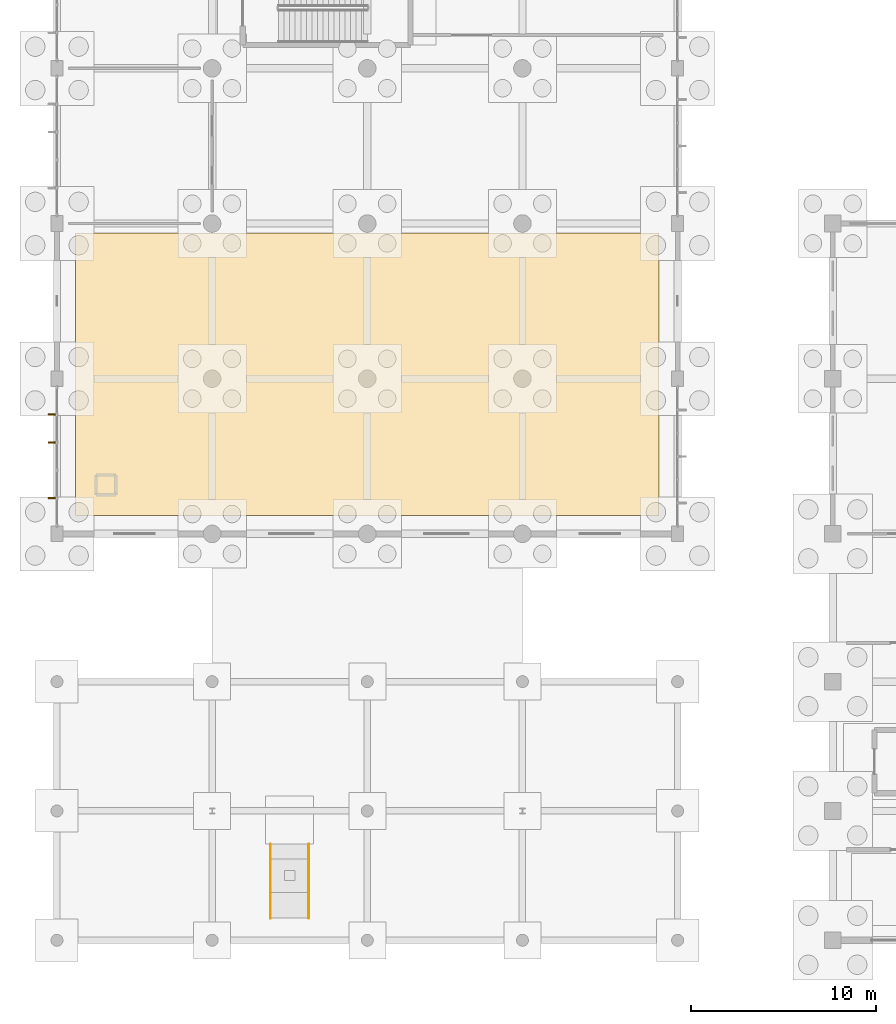
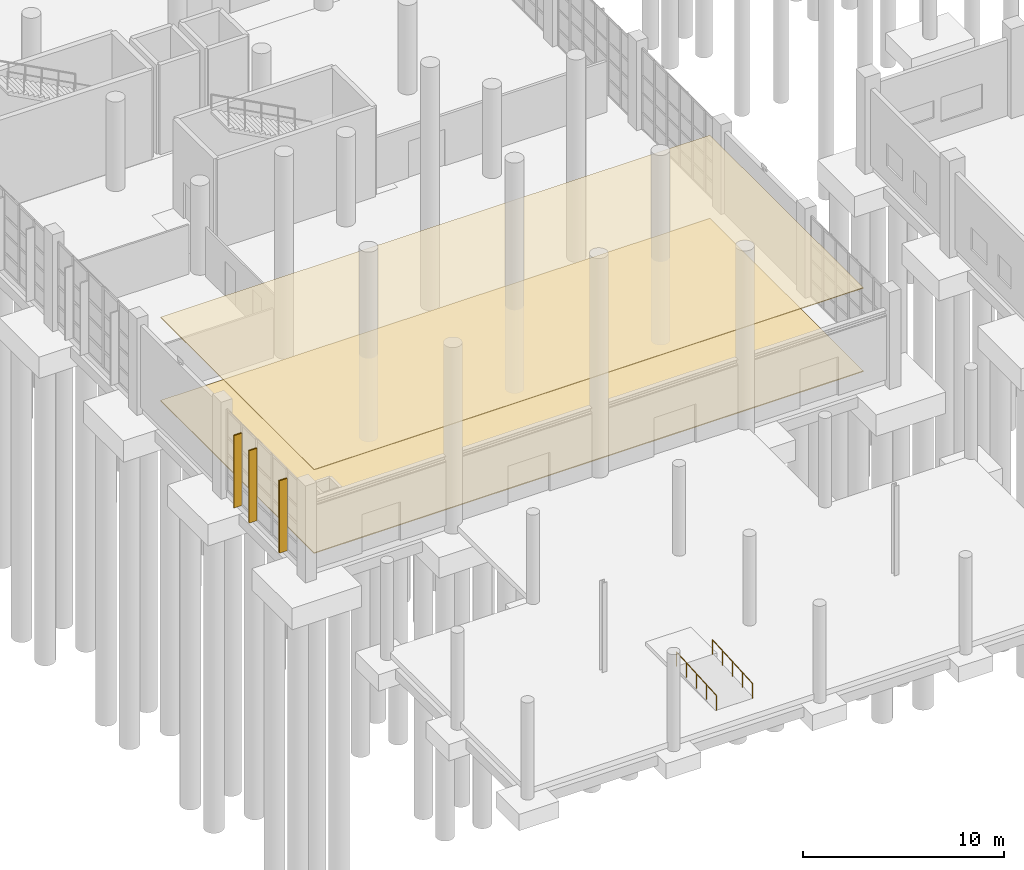
# One storey, part 63 of 83: 3 shading devices, 2 coverings, 2 railings.
"""IFC4 building model written with IfcOpenShell, lengths in metres."""

from ifc_helpers import new_model, si_unit, direction, frame, origin, origin_2d, place, context, subcontext, project, spatial, polyline, rectangle, circle, outline, extrude, material, layer, layer_set, type_object, element, save


model = new_model("IFC4")

# Units and contexts
model_context = context("Model", 3, precision=1e-05, world=origin(), true_north=direction((0.0, 1.0)))
body_context = subcontext(model_context, "Body", "Model", "MODEL_VIEW")
ifc_project = project(units=[si_unit("LENGTHUNIT", "METRE"), si_unit("AREAUNIT", "SQUARE_METRE"), si_unit("VOLUMEUNIT", "CUBIC_METRE"), si_unit("PLANEANGLEUNIT", "RADIAN"), si_unit("MASSUNIT", "GRAM", prefix="KILO"), si_unit("THERMODYNAMICTEMPERATUREUNIT", "KELVIN"), si_unit("POWERUNIT", "WATT")], contexts=[model_context])

# Site, building, storey
site_placement = place(None, origin())
site = spatial("IfcSite", under=ifc_project, at=site_placement, CompositionType="ELEMENT")
building_placement = place(site_placement, origin())
building = spatial("IfcBuilding", under=site, at=building_placement, Name="Mavoryth Pier Ferry Terminal", CompositionType="ELEMENT")
storey_placement = place(building_placement, origin())
storey = spatial("IfcBuildingStorey", under=building, at=storey_placement, Name="L00", CompositionType="ELEMENT", Elevation=0.0)

# Covering
ifc_material_1 = material(Name="Perforated Acoustic Aluminium Ceiling Baffle", Category="aluminium")
ifc_layer_1 = layer(ifc_material_1, 0.044921875, Name="Perforated Acoustic Aluminium Ceiling Baffle", Category="aluminium")
ifc_layer_set_1 = layer_set([ifc_layer_1], Name="Perforated Acoustic Aluminium Ceiling Baffle - Ceil-AcousticBaffle-45")
covering_type_1 = type_object("IfcCoveringType", Name="Ceil-AcousticBaffle-45", PredefinedType="CEILING", material=ifc_layer_set_1)
covering_1_placement = place(storey_placement, frame((0.0, 0.0, 5.074951171875)))
element("IfcCovering", 1, at=covering_1_placement, inside=storey, type_object=covering_type_1, Name="Covering COV-L00-002", PredefinedType="CEILING", context=body_context, shape_type="SweptSolid", body=[
    extrude(outline(polyline([(1.0, 23.0), (32.60009765625, 23.0), (32.60009765625, 38.300048828125), (1.0, 38.300048828125), (1.0, 23.0)])), origin(), (0.0, 0.0, 1.0), 0.045166015625),
])

# Shading devices
ifc_material_2 = material(Name="Anodised Aluminium Solar-Shading Fin", Category="aluminium")
shading_device_type = type_object("IfcShadingDeviceType", Name="Fin-BriseSoleil-450x80x4400", PredefinedType="SHUTTER", material=ifc_material_2)
for number, where, z_axis, x_axis, name in (
    (2, (-0.2490234375, 28.465087890625, 0.0), (0.0, 0.0, 1.0), (0.0, -1.0, 0.0), "Solar Shading Fin 1"),
    (3, (-0.2490234375, 26.955078125, 0.0), (0.0, 0.0, 1.0), (0.0, -1.0, 0.0), "Solar Shading Fin 2"),
    (4, (-0.2490234375, 23.93505859375, 0.0), (0.0, 0.0, 1.0), (0.0, -1.0, 0.0), "Solar Shading Fin 3"),
):
    element("IfcShadingDevice", number, at=place(storey_placement, frame(where, z_axis=z_axis, x_axis=x_axis)), inside=storey, type_object=shading_device_type, Name=name, PredefinedType="SHUTTER", context=body_context, shape_type="SweptSolid", body=[
        extrude(rectangle(XDim=0.080078125, YDim=0.449951171875, at=origin_2d()), origin(), (0.0, 0.0, 1.0), 4.39990234375),
    ])

# Covering
ifc_material_3 = material(Name="Polished Pentelic Marble-Chip Terrazzo", Category="masonry")
ifc_layer_2 = layer(ifc_material_3, 0.054931640625, Name="Polished Pentelic Marble-Chip Terrazzo", Category="masonry")
ifc_layer_set_2 = layer_set([ifc_layer_2], Name="Polished Pentelic Marble-Chip Terrazzo - Floor-PentelicTerrazzo-55")
covering_type_2 = type_object("IfcCoveringType", Name="Floor-PentelicTerrazzo-55", PredefinedType="FLOORING", material=ifc_layer_set_2)
covering_2_placement = place(storey_placement, origin())
element("IfcCovering", 5, at=covering_2_placement, inside=storey, type_object=covering_type_2, Name="Covering COV-L00-001", PredefinedType="FLOORING", context=body_context, shape_type="SweptSolid", body=[
    extrude(outline(polyline([(1.0, 23.0), (32.60009765625, 23.0), (32.60009765625, 38.300048828125), (1.0, 38.300048828125), (1.0, 23.0)])), origin(), (0.0, 0.0, 1.0), 0.054931640625),
])

# Railings
ifc_material_4 = material(Name="Marine-Grade 316 Stainless Steel Handrail", Category="steel")
railing_type = type_object("IfcRailingType", Name="Handrail-Ramp-SS920", PredefinedType="HANDRAIL", material=ifc_material_4)
for number, where, name in (
    (6, (13.639892578125, 1.199951171875, 0.0), "Ramp PR01 Rail"),
    (7, (11.56005859375, 1.199951171875, 0.0), "Ramp PR01 Rail"),
):
    element("IfcRailing", number, at=place(storey_placement, frame(where)), inside=storey, type_object=railing_type, Name=name, PredefinedType="HANDRAIL", context=body_context, shape_type="SweptSolid", body=[
        extrude(circle(Radius=0.02392578125, at=origin_2d()), frame((0.0, 0.0, 0.89599609375), z_axis=(0.0, 0.99820499116, 0.059889862446), x_axis=(-1.0, 0.0, 0.0)), (0.0, 0.0, 1.0), 4.007080078125),
        extrude(circle(Radius=0.02099609375, at=origin_2d()), origin(), (0.0, 0.0, 1.0), 0.871826171875),
        extrude(circle(Radius=0.02099609375, at=origin_2d()), frame((0.0, 1.0, 0.06005859375)), (0.0, 0.0, 1.0), 0.871826171875),
        extrude(circle(Radius=0.02099609375, at=origin_2d()), frame((0.0, 2.0, 0.1201171875)), (0.0, 0.0, 1.0), 0.871826171875),
        extrude(circle(Radius=0.02099609375, at=origin_2d()), frame((0.0, 3.0, 0.179931640625)), (0.0, 0.0, 1.0), 0.871826171875),
        extrude(circle(Radius=0.02099609375, at=origin_2d()), frame((0.0, 4.0, 0.239990234375)), (0.0, 0.0, 1.0), 0.871826171875),
    ])

save(model, "model.ifc")
